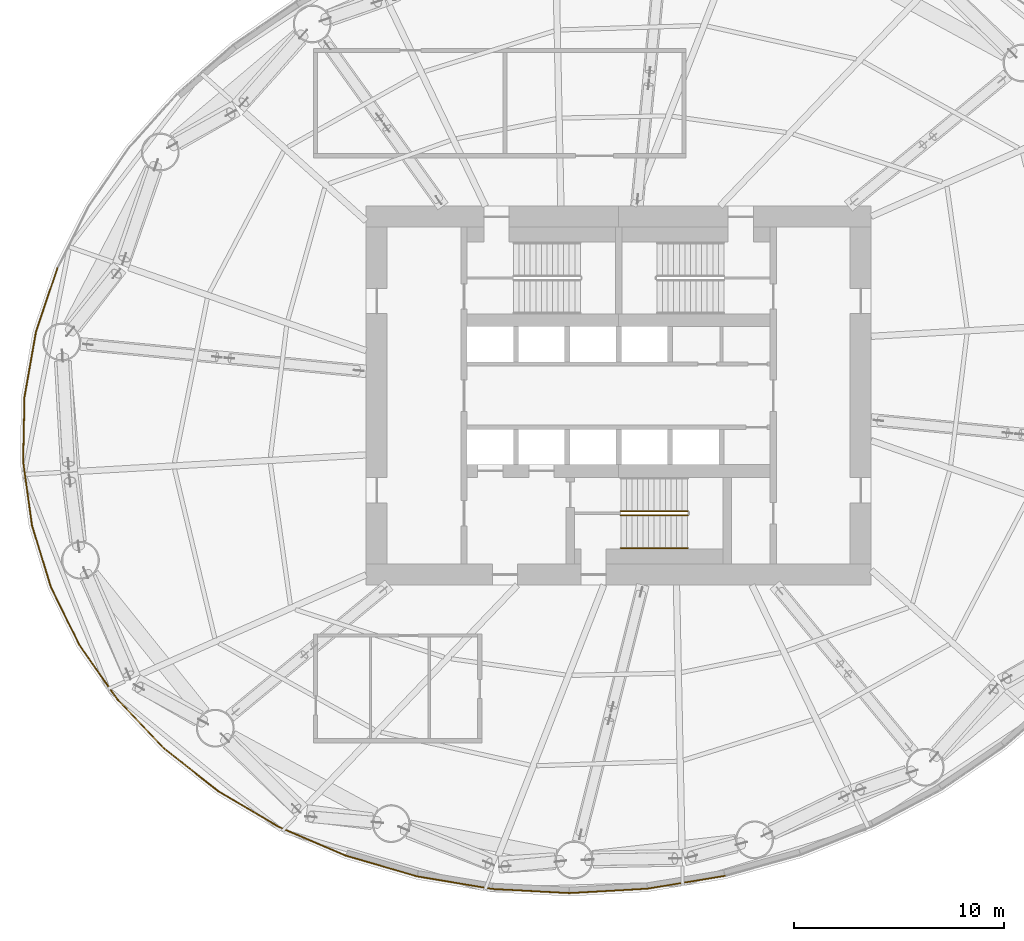
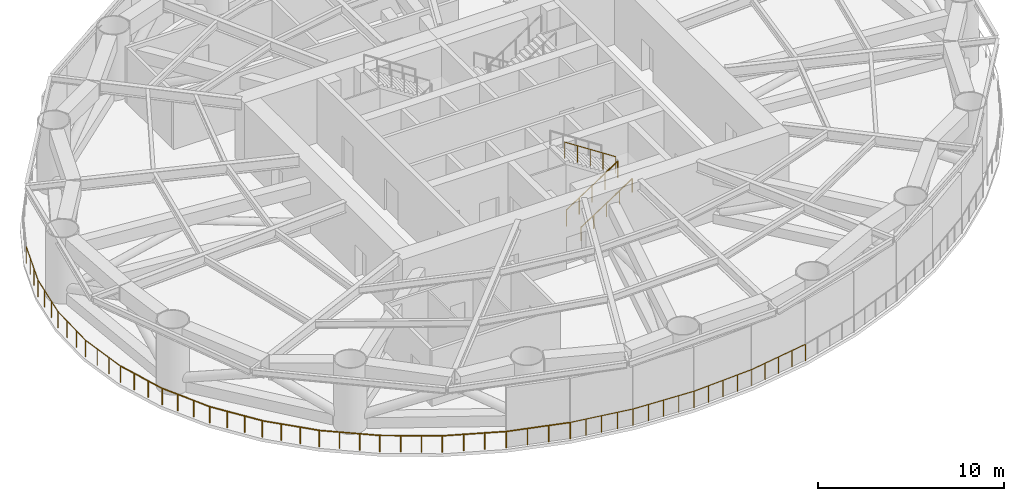
# One storey, part 13 of 15: 7 railings.
"""IFC4 building model written with IfcOpenShell, lengths in metres."""

from ifc_helpers import new_model, si_unit, direction, frame, origin, origin_2d, place, context, subcontext, project, spatial, circle, extrude, material, type_object, element, save


model = new_model("IFC4")

# Units and contexts
model_context = context("Model", 3, precision=1e-05, world=origin(), true_north=direction((0.0, 1.0)))
body_context = subcontext(model_context, "Body", "Model", "MODEL_VIEW")
ifc_project = project(units=[si_unit("LENGTHUNIT", "METRE"), si_unit("AREAUNIT", "SQUARE_METRE"), si_unit("VOLUMEUNIT", "CUBIC_METRE"), si_unit("PLANEANGLEUNIT", "RADIAN"), si_unit("MASSUNIT", "GRAM", prefix="KILO")], contexts=[model_context])

# Site, building, storey
site_placement = place(None, origin())
site = spatial("IfcSite", under=ifc_project, at=site_placement, CompositionType="ELEMENT")
building_placement = place(site_placement, origin())
building = spatial("IfcBuilding", under=site, at=building_placement, Name="Vermilion Reach Broadcast Tower", CompositionType="ELEMENT")
storey_placement = place(building_placement, frame((0.0, 0.0, 84.10009765625)))
storey = spatial("IfcBuildingStorey", under=building, at=storey_placement, Name="L18", CompositionType="ELEMENT", Elevation=84.10009765625)

# Railings
ifc_material_1 = material(Name="Steel guardrail with stainless infill", Category="steel")
railing_type_1 = type_object("IfcRailingType", Name="Open floor guardrail 1100", PredefinedType="GUARDRAIL", material=ifc_material_1)
railing_1_placement = place(storey_placement, frame((-32.672119140625, 6.052490234375, 0.0)))
element("IfcRailing", 1, at=railing_1_placement, inside=storey, type_object=railing_type_1, Name="sp.rail.L18.05", PredefinedType="GUARDRAIL", context=body_context, shape_type="SweptSolid", body=[
    extrude(circle(Radius=0.02490234375, at=origin_2d()), frame((0.0, 0.0, 1.0751953125), z_axis=(-0.318310909039, -0.947986373946, 0.0), x_axis=(0.947986373946, -0.318310909039, 0.0)), (0.0, 0.0, 1.0), 3.1982421875),
    extrude(circle(Radius=0.02490234375, at=origin_2d()), frame((-1.01806640625, -3.031982421875, 1.0751953125), z_axis=(-0.17406560679, -0.98473405777, 0.0), x_axis=(0.98473405777, -0.17406560679, 0.0)), (0.0, 0.0, 1.0), 3.130615234375),
    extrude(circle(Radius=0.02490234375, at=origin_2d()), frame((-1.56298828125, -6.11474609375, 1.0751953125), z_axis=(-0.020281089168, -0.999794317558, 0.0), x_axis=(0.999794317558, -0.020281089168, 0.0)), (0.0, 0.0, 1.0), 3.081787109375),
    extrude(circle(Radius=0.02490234375, at=origin_2d()), frame((-1.62548828125, -9.19580078125, 1.0751953125), z_axis=(0.137583612884, -0.990490156168, 0.0), x_axis=(0.990490156168, 0.137583612884, 0.0)), (0.0, 0.0, 1.0), 3.0556640625),
    extrude(circle(Radius=0.02490234375, at=origin_2d()), origin(), (0.0, 0.0, 1.0), 1.050048828125),
    extrude(circle(Radius=0.02490234375, at=origin_2d()), frame((-0.33935546875, -1.0107421875, 0.0)), (0.0, 0.0, 1.0), 1.050048828125),
    extrude(circle(Radius=0.02490234375, at=origin_2d()), frame((-0.6787109375, -2.021240234375, 0.0)), (0.0, 0.0, 1.0), 1.050048828125),
    extrude(circle(Radius=0.02490234375, at=origin_2d()), frame((-1.01806640625, -3.031982421875, 0.0)), (0.0, 0.0, 1.0), 1.050048828125),
    extrude(circle(Radius=0.02490234375, at=origin_2d()), frame((-1.19970703125, -4.0595703125, 0.0)), (0.0, 0.0, 1.0), 1.050048828125),
    extrude(circle(Radius=0.02490234375, at=origin_2d()), frame((-1.38134765625, -5.087158203125, 0.0)), (0.0, 0.0, 1.0), 1.050048828125),
    extrude(circle(Radius=0.02490234375, at=origin_2d()), frame((-1.56298828125, -6.11474609375, 0.0)), (0.0, 0.0, 1.0), 1.050048828125),
    extrude(circle(Radius=0.02490234375, at=origin_2d()), frame((-1.583740234375, -7.141845703125, 0.0)), (0.0, 0.0, 1.0), 1.050048828125),
    extrude(circle(Radius=0.02490234375, at=origin_2d()), frame((-1.604736328125, -8.168701171875, 0.0)), (0.0, 0.0, 1.0), 1.050048828125),
    extrude(circle(Radius=0.02490234375, at=origin_2d()), frame((-1.62548828125, -9.19580078125, 0.0)), (0.0, 0.0, 1.0), 1.050048828125),
    extrude(circle(Radius=0.02490234375, at=origin_2d()), frame((-1.4853515625, -10.20458984375, 0.0)), (0.0, 0.0, 1.0), 1.050048828125),
    extrude(circle(Radius=0.02490234375, at=origin_2d()), frame((-1.34521484375, -11.213623046875, 0.0)), (0.0, 0.0, 1.0), 1.050048828125),
    extrude(circle(Radius=0.02490234375, at=origin_2d()), frame((-1.205078125, -12.222412109375, 0.0)), (0.0, 0.0, 1.0), 1.050048828125),
])
railing_2_placement = place(storey_placement, frame((-33.877197265625, -6.169921875, 0.0)))
element("IfcRailing", 2, at=railing_2_placement, inside=storey, type_object=railing_type_1, Name="sp.rail.L18.06", PredefinedType="GUARDRAIL", context=body_context, shape_type="SweptSolid", body=[
    extrude(circle(Radius=0.02490234375, at=origin_2d()), frame((0.0, 0.0, 1.0751953125), z_axis=(0.293198719955, -0.956051520901, 0.0), x_axis=(0.956051520901, 0.293198719955, 0.0)), (0.0, 0.0, 1.0), 3.055908203125),
    extrude(circle(Radius=0.02490234375, at=origin_2d()), frame((0.89599609375, -2.921630859375, 1.0751953125), z_axis=(0.440355107062, -0.897823690757, 0.0), x_axis=(0.897823690757, 0.440355107062, 0.0)), (0.0, 0.0, 1.0), 3.08154296875),
    extrude(circle(Radius=0.02490234375, at=origin_2d()), frame((2.2529296875, -5.688232421875, 1.0751953125), z_axis=(0.573347192766, -0.81931251458, 0.0), x_axis=(0.81931251458, 0.573347192766, 0.0)), (0.0, 0.0, 1.0), 3.130615234375),
    extrude(circle(Radius=0.02490234375, at=origin_2d()), frame((4.0478515625, -8.253173828125, 1.0751953125), z_axis=(0.688550844022, -0.725188068846, 0.0), x_axis=(0.725188068846, 0.688550844022, 0.0)), (0.0, 0.0, 1.0), 3.198486328125),
    extrude(circle(Radius=0.02490234375, at=origin_2d()), origin(), (0.0, 0.0, 1.0), 1.050048828125),
    extrude(circle(Radius=0.02490234375, at=origin_2d()), frame((0.298583984375, -0.973876953125, 0.0)), (0.0, 0.0, 1.0), 1.050048828125),
    extrude(circle(Radius=0.02490234375, at=origin_2d()), frame((0.597412109375, -1.94775390625, 0.0)), (0.0, 0.0, 1.0), 1.050048828125),
    extrude(circle(Radius=0.02490234375, at=origin_2d()), frame((0.89599609375, -2.921630859375, 0.0)), (0.0, 0.0, 1.0), 1.050048828125),
    extrude(circle(Radius=0.02490234375, at=origin_2d()), frame((1.348388671875, -3.84375, 0.0)), (0.0, 0.0, 1.0), 1.050048828125),
    extrude(circle(Radius=0.02490234375, at=origin_2d()), frame((1.800537109375, -4.76611328125, 0.0)), (0.0, 0.0, 1.0), 1.050048828125),
    extrude(circle(Radius=0.02490234375, at=origin_2d()), frame((2.2529296875, -5.688232421875, 0.0)), (0.0, 0.0, 1.0), 1.050048828125),
    extrude(circle(Radius=0.02490234375, at=origin_2d()), frame((2.851318359375, -6.543212890625, 0.0)), (0.0, 0.0, 1.0), 1.050048828125),
    extrude(circle(Radius=0.02490234375, at=origin_2d()), frame((3.449462890625, -7.398193359375, 0.0)), (0.0, 0.0, 1.0), 1.050048828125),
    extrude(circle(Radius=0.02490234375, at=origin_2d()), frame((4.0478515625, -8.253173828125, 0.0)), (0.0, 0.0, 1.0), 1.050048828125),
    extrude(circle(Radius=0.02490234375, at=origin_2d()), frame((4.781982421875, -9.0263671875, 0.0)), (0.0, 0.0, 1.0), 1.050048828125),
    extrude(circle(Radius=0.02490234375, at=origin_2d()), frame((5.51611328125, -9.799560546875, 0.0)), (0.0, 0.0, 1.0), 1.050048828125),
    extrude(circle(Radius=0.02490234375, at=origin_2d()), frame((6.250244140625, -10.57275390625, 0.0)), (0.0, 0.0, 1.0), 1.050048828125),
])
railing_3_placement = place(storey_placement, frame((-27.626953125, -16.74267578125, 0.0)))
element("IfcRailing", 3, at=railing_3_placement, inside=storey, type_object=railing_type_1, Name="sp.rail.L18.07", PredefinedType="GUARDRAIL", context=body_context, shape_type="SweptSolid", body=[
    extrude(circle(Radius=0.02490234375, at=origin_2d()), frame((0.0, 0.0, 1.0751953125), z_axis=(0.784493911607, -0.620136519366, 0.0), x_axis=(0.620136519366, 0.784493911607, 0.0)), (0.0, 0.0, 1.0), 3.27978515625),
    extrude(circle(Radius=0.02490234375, at=origin_2d()), frame((2.572998046875, -2.033935546875, 1.0751953125), z_axis=(0.860952501075, -0.508685355493, 0.0), x_axis=(0.508685355493, 0.860952501075, 0.0)), (0.0, 0.0, 1.0), 3.3681640625),
    extrude(circle(Radius=0.02490234375, at=origin_2d()), frame((5.472900390625, -3.747314453125, 1.0751953125), z_axis=(0.918991542196, -0.3942772443, 0.0), x_axis=(0.3942772443, 0.918991542196, 0.0)), (0.0, 0.0, 1.0), 3.45703125),
    extrude(circle(Radius=0.02490234375, at=origin_2d()), frame((8.64990234375, -5.1103515625, 1.0751953125), z_axis=(0.96018588216, -0.279361900949, 0.0), x_axis=(0.279361900949, 0.96018588216, 0.0)), (0.0, 0.0, 1.0), 3.541015625),
    extrude(circle(Radius=0.02490234375, at=origin_2d()), origin(), (0.0, 0.0, 1.0), 1.050048828125),
    extrude(circle(Radius=0.02490234375, at=origin_2d()), frame((0.857666015625, -0.677978515625, 0.0)), (0.0, 0.0, 1.0), 1.050048828125),
    extrude(circle(Radius=0.02490234375, at=origin_2d()), frame((1.71533203125, -1.35595703125, 0.0)), (0.0, 0.0, 1.0), 1.050048828125),
    extrude(circle(Radius=0.02490234375, at=origin_2d()), frame((2.572998046875, -2.033935546875, 0.0)), (0.0, 0.0, 1.0), 1.050048828125),
    extrude(circle(Radius=0.02490234375, at=origin_2d()), frame((3.53955078125, -2.60498046875, 0.0)), (0.0, 0.0, 1.0), 1.050048828125),
    extrude(circle(Radius=0.02490234375, at=origin_2d()), frame((4.50634765625, -3.17626953125, 0.0)), (0.0, 0.0, 1.0), 1.050048828125),
    extrude(circle(Radius=0.02490234375, at=origin_2d()), frame((5.472900390625, -3.747314453125, 0.0)), (0.0, 0.0, 1.0), 1.050048828125),
    extrude(circle(Radius=0.02490234375, at=origin_2d()), frame((6.531982421875, -4.20166015625, 0.0)), (0.0, 0.0, 1.0), 1.050048828125),
    extrude(circle(Radius=0.02490234375, at=origin_2d()), frame((7.5908203125, -4.656005859375, 0.0)), (0.0, 0.0, 1.0), 1.050048828125),
    extrude(circle(Radius=0.02490234375, at=origin_2d()), frame((8.64990234375, -5.1103515625, 0.0)), (0.0, 0.0, 1.0), 1.050048828125),
    extrude(circle(Radius=0.02490234375, at=origin_2d()), frame((9.783203125, -5.440185546875, 0.0)), (0.0, 0.0, 1.0), 1.050048828125),
    extrude(circle(Radius=0.02490234375, at=origin_2d()), frame((10.916748046875, -5.769775390625, 0.0)), (0.0, 0.0, 1.0), 1.050048828125),
    extrude(circle(Radius=0.02490234375, at=origin_2d()), frame((12.050048828125, -6.099609375, 0.0)), (0.0, 0.0, 1.0), 1.050048828125),
])
railing_4_placement = place(storey_placement, frame((-15.576904296875, -22.84228515625, 0.0)))
element("IfcRailing", 4, at=railing_4_placement, inside=storey, type_object=railing_type_1, Name="sp.rail.L18.08", PredefinedType="GUARDRAIL", context=body_context, shape_type="SweptSolid", body=[
    extrude(circle(Radius=0.02490234375, at=origin_2d()), frame((0.0, 0.0, 1.0751953125), z_axis=(0.986212601481, -0.165483245917, 0.0), x_axis=(0.165483245917, 0.986212601481, 0.0)), (0.0, 0.0, 1.0), 3.614501953125),
    extrude(circle(Radius=0.02490234375, at=origin_2d()), frame((3.564697265625, -0.59814453125, 1.0751953125), z_axis=(0.998571363667, -0.053434367813, 0.0), x_axis=(0.053434367813, 0.998571363667, 0.0)), (0.0, 0.0, 1.0), 3.67333984375),
    extrude(circle(Radius=0.02490234375, at=origin_2d()), frame((7.23291015625, -0.79443359375, 1.0751953125), z_axis=(0.998419846859, 0.05619438938, 0.0), x_axis=(-0.05619438938, 0.998419846859, 0.0)), (0.0, 0.0, 1.0), 3.714599609375),
    extrude(circle(Radius=0.02490234375, at=origin_2d()), frame((10.941650390625, -0.585693359375, 1.0751953125), z_axis=(0.98655068081, 0.163455664306, 0.0), x_axis=(-0.163455664306, 0.98655068081, 0.0)), (0.0, 0.0, 1.0), 3.735595703125),
    extrude(circle(Radius=0.02490234375, at=origin_2d()), origin(), (0.0, 0.0, 1.0), 1.050048828125),
    extrude(circle(Radius=0.02490234375, at=origin_2d()), frame((0.89111328125, -0.1494140625, 0.0)), (0.0, 0.0, 1.0), 1.050048828125),
    extrude(circle(Radius=0.02490234375, at=origin_2d()), frame((1.7822265625, -0.299072265625, 0.0)), (0.0, 0.0, 1.0), 1.050048828125),
    extrude(circle(Radius=0.02490234375, at=origin_2d()), frame((2.673583984375, -0.44873046875, 0.0)), (0.0, 0.0, 1.0), 1.050048828125),
    extrude(circle(Radius=0.02490234375, at=origin_2d()), frame((3.564697265625, -0.59814453125, 0.0)), (0.0, 0.0, 1.0), 1.050048828125),
    extrude(circle(Radius=0.02490234375, at=origin_2d()), frame((4.481689453125, -0.647216796875, 0.0)), (0.0, 0.0, 1.0), 1.050048828125),
    extrude(circle(Radius=0.02490234375, at=origin_2d()), frame((5.39892578125, -0.6962890625, 0.0)), (0.0, 0.0, 1.0), 1.050048828125),
    extrude(circle(Radius=0.02490234375, at=origin_2d()), frame((6.31591796875, -0.745361328125, 0.0)), (0.0, 0.0, 1.0), 1.050048828125),
    extrude(circle(Radius=0.02490234375, at=origin_2d()), frame((7.23291015625, -0.79443359375, 0.0)), (0.0, 0.0, 1.0), 1.050048828125),
    extrude(circle(Radius=0.02490234375, at=origin_2d()), frame((8.16015625, -0.7421875, 0.0)), (0.0, 0.0, 1.0), 1.050048828125),
    extrude(circle(Radius=0.02490234375, at=origin_2d()), frame((9.08740234375, -0.68994140625, 0.0)), (0.0, 0.0, 1.0), 1.050048828125),
    extrude(circle(Radius=0.02490234375, at=origin_2d()), frame((10.014404296875, -0.637939453125, 0.0)), (0.0, 0.0, 1.0), 1.050048828125),
    extrude(circle(Radius=0.02490234375, at=origin_2d()), frame((10.941650390625, -0.585693359375, 0.0)), (0.0, 0.0, 1.0), 1.050048828125),
    extrude(circle(Radius=0.02490234375, at=origin_2d()), frame((11.863037109375, -0.43310546875, 0.0)), (0.0, 0.0, 1.0), 1.050048828125),
    extrude(circle(Radius=0.02490234375, at=origin_2d()), frame((12.7841796875, -0.2802734375, 0.0)), (0.0, 0.0, 1.0), 1.050048828125),
    extrude(circle(Radius=0.02490234375, at=origin_2d()), frame((13.70556640625, -0.127685546875, 0.0)), (0.0, 0.0, 1.0), 1.050048828125),
    extrude(circle(Radius=0.02490234375, at=origin_2d()), frame((14.626953125, 0.02490234375, 0.0)), (0.0, 0.0, 1.0), 1.050048828125),
])
ifc_material_2 = material(Name="Stainless steel", Category="steel")
railing_type_2 = type_object("IfcRailingType", Name="Stair guard 1100", PredefinedType="GUARDRAIL", material=ifc_material_2)
railing_5_placement = place(storey_placement, frame((-5.89990234375, -5.68994140625, 0.173095703125)))
element("IfcRailing", 5, at=railing_5_placement, inside=storey, type_object=railing_type_2, Name="L18 ST3 stair guard 1", PredefinedType="GUARDRAIL", context=body_context, shape_type="SweptSolid", body=[
    extrude(circle(Radius=0.02392578125, at=origin_2d()), frame((0.0, 0.0, 1.076171875), z_axis=(0.837244679093, 0.0, 0.546828444149), x_axis=(0.0, 1.0, 0.0)), (0.0, 0.0, 1.0), 3.798095703125),
    extrude(circle(Radius=0.02099609375, at=origin_2d()), origin(), (0.0, 0.0, 1.0), 1.052001953125),
    extrude(circle(Radius=0.02099609375, at=origin_2d()), frame((0.794921875, 0.0, 0.519287109375)), (0.0, 0.0, 1.0), 1.052001953125),
    extrude(circle(Radius=0.02099609375, at=origin_2d()), frame((1.58984375, 0.0, 1.03857421875)), (0.0, 0.0, 1.0), 1.052001953125),
    extrude(circle(Radius=0.02099609375, at=origin_2d()), frame((2.385009765625, 0.0, 1.5576171875)), (0.0, 0.0, 1.0), 1.052001953125),
    extrude(circle(Radius=0.02099609375, at=origin_2d()), frame((3.179931640625, 0.0, 2.076904296875)), (0.0, 0.0, 1.0), 1.052001953125),
])
railing_6_placement = place(storey_placement, frame((-2.719970703125, -5.489990234375, 2.423095703125)))
element("IfcRailing", 6, at=railing_6_placement, inside=storey, type_object=railing_type_2, Name="L18 ST3 stair guard 3", PredefinedType="GUARDRAIL", context=body_context, shape_type="SweptSolid", body=[
    extrude(circle(Radius=0.02392578125, at=origin_2d()), frame((0.0, 0.0, 1.076171875), z_axis=(-0.837244679093, 0.0, 0.546828444149), x_axis=(0.0, -1.0, 0.0)), (0.0, 0.0, 1.0), 3.798095703125),
    extrude(circle(Radius=0.02099609375, at=origin_2d()), origin(), (0.0, 0.0, 1.0), 1.052001953125),
    extrude(circle(Radius=0.02099609375, at=origin_2d()), frame((-0.794921875, 0.0, 0.519287109375)), (0.0, 0.0, 1.0), 1.052001953125),
    extrude(circle(Radius=0.02099609375, at=origin_2d()), frame((-1.58984375, 0.0, 1.03857421875)), (0.0, 0.0, 1.0), 1.052001953125),
    extrude(circle(Radius=0.02099609375, at=origin_2d()), frame((-2.385009765625, 0.0, 1.5576171875)), (0.0, 0.0, 1.0), 1.052001953125),
    extrude(circle(Radius=0.02099609375, at=origin_2d()), frame((-3.179931640625, 0.0, 2.076904296875)), (0.0, 0.0, 1.0), 1.052001953125),
])
ifc_material_3 = material(Name="Stainless steel", Category="steel")
railing_type_3 = type_object("IfcRailingType", Name="Stair handrail", PredefinedType="HANDRAIL", material=ifc_material_3)
railing_7_placement = place(storey_placement, frame((-5.89990234375, -7.25, 0.173095703125)))
element("IfcRailing", 7, at=railing_7_placement, inside=storey, type_object=railing_type_3, Name="L18 ST3 stair handrail 1", PredefinedType="HANDRAIL", context=body_context, shape_type="SweptSolid", body=[
    extrude(circle(Radius=0.02392578125, at=origin_2d()), frame((0.0, 0.0, 0.8759765625), z_axis=(0.837244679093, 0.0, 0.546828444149), x_axis=(0.0, 1.0, 0.0)), (0.0, 0.0, 1.0), 3.798095703125),
    extrude(circle(Radius=0.02099609375, at=origin_2d()), origin(), (0.0, 0.0, 1.0), 0.851806640625),
    extrude(circle(Radius=0.02099609375, at=origin_2d()), frame((0.794921875, 0.0, 0.519287109375)), (0.0, 0.0, 1.0), 0.851806640625),
    extrude(circle(Radius=0.02099609375, at=origin_2d()), frame((1.58984375, 0.0, 1.03857421875)), (0.0, 0.0, 1.0), 0.851806640625),
    extrude(circle(Radius=0.02099609375, at=origin_2d()), frame((2.385009765625, 0.0, 1.5576171875)), (0.0, 0.0, 1.0), 0.851806640625),
    extrude(circle(Radius=0.02099609375, at=origin_2d()), frame((3.179931640625, 0.0, 2.076904296875)), (0.0, 0.0, 1.0), 0.851806640625),
])

save(model, "model.ifc")
